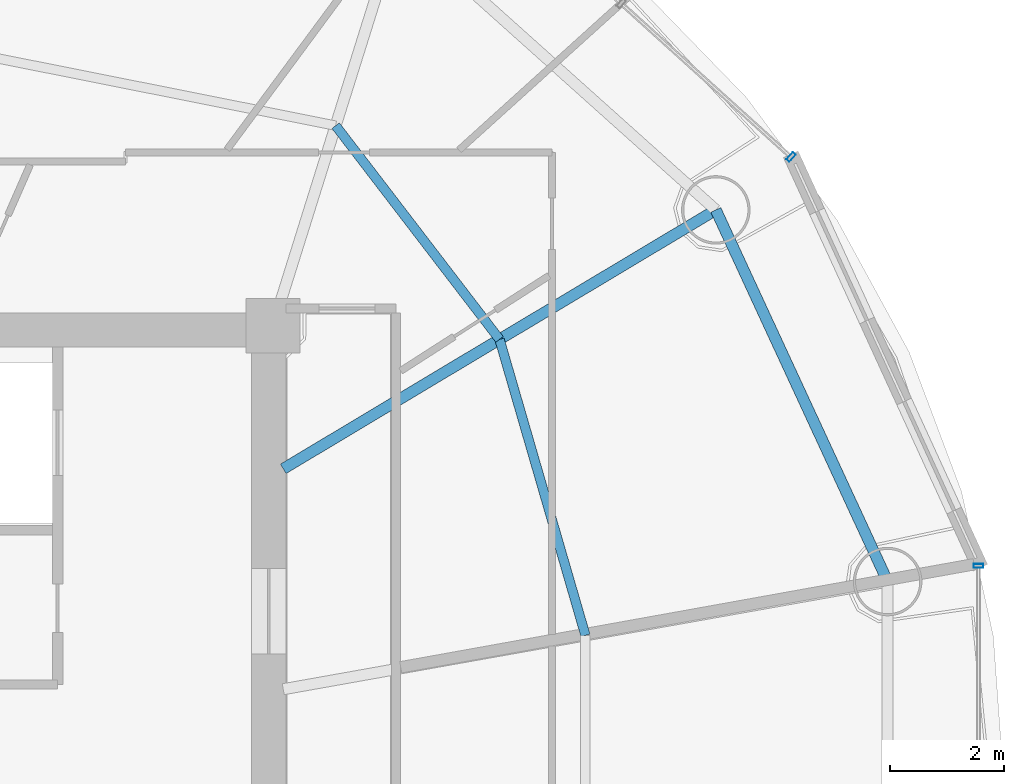
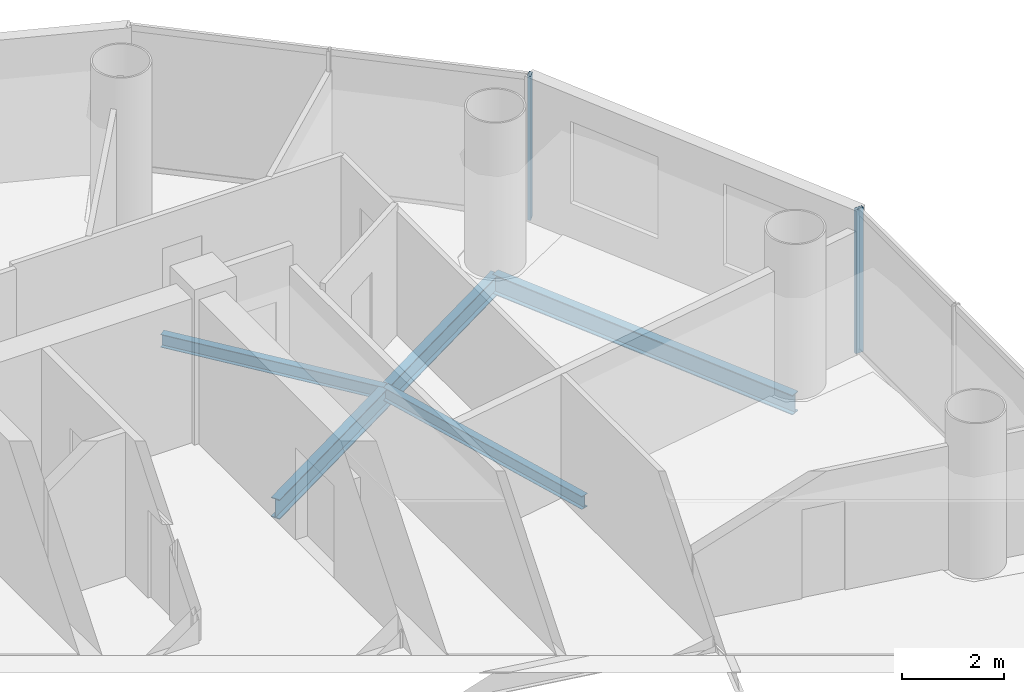
# One storey, part 13 of 27: 4 beams, 2 members, 2 elements without a shape of their own.
"""IFC4 building model written with IfcOpenShell, lengths in metres."""

import ifcopenshell
import ifcopenshell.guid

model = None  # the IFC model being written
_history = None  # IfcOwnerHistory: only IFC2X3 demands one
_inside = {}  # id of a spatial element -> (the spatial element, [elements in it])
_under = {}  # id of a project, library or spatial element -> (it, [spatial elements below it])
_declared = {}  # id of a project -> (the project, [libraries it declares])
_typed = {}  # id of a type object -> (the type object, [elements of that type])
_made_of = {}  # id of a material, layer set ... -> (it, [elements and type objects made of it])


def new_model(schema):
    """Start an empty IFC model of exactly this schema.

    Asked for "IFC4X3", IfcOpenShell would pick the latest addendum, in which some entities
    have other attributes; the version numbers below select the first issue.
    IFC2X3 requires an IfcOwnerHistory on every rooted entity: one is made here for all.
    """
    global model, _history
    if schema == "IFC4X3":
        model = ifcopenshell.file(schema_version=(4, 3, 0, 0))
    else:
        model = ifcopenshell.file(schema=schema)
    _inside.clear()
    _under.clear()
    _declared.clear()
    _typed.clear()
    _made_of.clear()
    _history = None
    if model.schema == "IFC2X3":
        org = make("IfcOrganization", Name="unknown")
        user = make(
            "IfcPersonAndOrganization",
            ThePerson=make("IfcPerson", FamilyName="unknown"),
            TheOrganization=org,
        )
        app = make(
            "IfcApplication",
            ApplicationDeveloper=org,
            Version="unknown",
            ApplicationFullName="unknown",
            ApplicationIdentifier="unknown",
        )
        _history = make(
            "IfcOwnerHistory",
            OwningUser=user,
            OwningApplication=app,
            ChangeAction="ADDED",
            CreationDate=0,
        )
    return model


def make(cls, **values):
    """One entity of the class cls with the attributes given. An attribute that is None is left unset."""
    return model.create_entity(
        cls, **{name: value for name, value in values.items() if value is not None}
    )


def rooted(cls, **values):
    """An entity with a GlobalId (a new one), such as an element, a storey or a relation."""
    return make(cls, GlobalId=ifcopenshell.guid.new(), OwnerHistory=_history, **values)


def si_unit(unit_type, name, prefix=None):
    """IfcSIUnit, for example si_unit("LENGTHUNIT", "METRE", prefix="MILLI")."""
    return make("IfcSIUnit", UnitType=unit_type, Prefix=prefix, Name=name)


def assignment(units):
    """IfcUnitAssignment: the units of a project."""
    return None if units is None else make("IfcUnitAssignment", Units=units)


def point(xyz):
    """IfcCartesianPoint."""
    return None if xyz is None else make("IfcCartesianPoint", Coordinates=xyz)


def direction(xyz):
    """IfcDirection."""
    return None if xyz is None else make("IfcDirection", DirectionRatios=xyz)


def frame(location, z_axis=None, x_axis=None):
    """IfcAxis2Placement3D, a coordinate frame: its origin and axes. An axis left out is left unset."""
    return make(
        "IfcAxis2Placement3D",
        Location=point(location),
        Axis=direction(z_axis),
        RefDirection=direction(x_axis),
    )


def frame_2d(location, x_axis=None):
    """IfcAxis2Placement2D, a coordinate frame in the plane: its origin and x axis."""
    return make(
        "IfcAxis2Placement2D", Location=point(location), RefDirection=direction(x_axis)
    )


def origin():
    """The frame at (0, 0, 0) with its axes left unset."""
    return frame((0.0, 0.0, 0.0))


def origin_2d():
    """The frame at (0, 0) in the plane with its x axis left unset."""
    return frame_2d((0.0, 0.0))


def place(relative_to, where):
    """IfcLocalPlacement: puts the frame where relative to a parent placement (None: the world)."""
    return make(
        "IfcLocalPlacement", PlacementRelTo=relative_to, RelativePlacement=where
    )


def context(
    kind, dimensions, precision=None, world=None, true_north=None, identifier=None
):
    """IfcGeometricRepresentationContext, for example the 3D "Model" context."""
    return make(
        "IfcGeometricRepresentationContext",
        ContextIdentifier=identifier,
        ContextType=kind,
        CoordinateSpaceDimension=dimensions,
        Precision=precision,
        WorldCoordinateSystem=world,
        TrueNorth=true_north,
    )


def subcontext(parent, identifier, kind, view, scale=None):
    """IfcGeometricRepresentationSubContext, for example "Body" below "Model"."""
    return make(
        "IfcGeometricRepresentationSubContext",
        ContextIdentifier=identifier,
        ContextType=kind,
        ParentContext=parent,
        TargetScale=scale,
        TargetView=view,
    )


def project(units=None, contexts=None):
    """IfcProject with its units and contexts."""
    return rooted(
        "IfcProject",
        Name="project",
        RepresentationContexts=contexts,
        UnitsInContext=assignment(units),
    )


def spatial(cls, under=None, at=None, **own):
    """A site, building, storey or space (cls), placed at a placement, below another one or the project."""
    s = rooted(cls, ObjectPlacement=at, **own)
    if under is not None:
        _under.setdefault(under.id(), (under, []))[1].append(s)
    return s


def profile(cls, at=None, kind="AREA", **sizes):
    """A parametric profile (cls). Its sizes go by their IFC names, for example OverallWidth=200.0."""
    return make(cls, ProfileType=kind, Position=at, **sizes)


def hollow_rectangle(**sizes):
    """IfcRectangleHollowProfileDef."""
    return profile("IfcRectangleHollowProfileDef", **sizes)


def i_section(**sizes):
    """IfcIShapeProfileDef."""
    return profile("IfcIShapeProfileDef", **sizes)


def extrude(swept, where, along, depth):
    """IfcExtrudedAreaSolid: the profile swept, set in the frame where, extruded along a direction by depth."""
    return make(
        "IfcExtrudedAreaSolid",
        SweptArea=swept,
        Position=where,
        ExtrudedDirection=direction(along),
        Depth=depth,
    )


def shape(context_of_items, identifier, shape_type, items):
    """IfcShapeRepresentation: the items that make up one representation, for example the "Body"."""
    return make(
        "IfcShapeRepresentation",
        ContextOfItems=context_of_items,
        RepresentationIdentifier=identifier,
        RepresentationType=shape_type,
        Items=items,
    )


def source(mapping_origin, context_of_items, identifier, shape_type, items):
    """IfcRepresentationMap: a shape defined once, which mapped items show again and again."""
    return make(
        "IfcRepresentationMap",
        MappingOrigin=mapping_origin,
        MappedRepresentation=shape(context_of_items, identifier, shape_type, items),
    )


def transform(
    local_origin,
    x_axis=None,
    y_axis=None,
    z_axis=None,
    scale=None,
    scale2=None,
    scale3=None,
    uniform=True,
):
    """IfcCartesianTransformationOperator3D, or its non-uniform kind. x_axis, y_axis, z_axis: its Axis1, 2, 3."""
    if uniform:
        return make(
            "IfcCartesianTransformationOperator3D",
            Axis1=direction(x_axis),
            Axis2=direction(y_axis),
            LocalOrigin=point(local_origin),
            Scale=scale,
            Axis3=direction(z_axis),
        )
    return make(
        "IfcCartesianTransformationOperator3DnonUniform",
        Axis1=direction(x_axis),
        Axis2=direction(y_axis),
        LocalOrigin=point(local_origin),
        Scale=scale,
        Axis3=direction(z_axis),
        Scale2=scale2,
        Scale3=scale3,
    )


def mapped(mapping_source, mapping_target):
    """IfcMappedItem: shows the shape of a source again, moved by a transform."""
    return make(
        "IfcMappedItem", MappingSource=mapping_source, MappingTarget=mapping_target
    )


def material(Name=None, Category=None):
    """IfcMaterial."""
    return make("IfcMaterial", Name=Name, Category=Category)


def material_profile(
    of_material, cross_section, Name=None, Category=None, Priority=None
):
    """IfcMaterialProfile: a cross section and its material."""
    return make(
        "IfcMaterialProfile",
        Name=Name,
        Material=of_material,
        Profile=cross_section,
        Priority=Priority,
        Category=Category,
    )


def profile_set(profiles, Name=None, composite=None):
    """IfcMaterialProfileSet."""
    return make(
        "IfcMaterialProfileSet",
        Name=Name,
        MaterialProfiles=profiles,
        CompositeProfile=composite,
    )


def made_of(thing, what):
    """Note that an element or type object is made of a material, layer set ...; save() writes the relation."""
    if what is not None:
        _made_of.setdefault(what.id(), (what, []))[1].append(thing)
    return thing


def type_object(cls, material=None, **own):
    """A type object (cls), such as IfcWallType, which elements share."""
    return made_of(rooted(cls, **own), material)


def element(
    cls,
    number,
    at=None,
    inside=None,
    cuts=None,
    type_object=None,
    material=None,
    context=None,
    identifier="Body",
    shape_type=None,
    held_by="IfcProductDefinitionShape",
    body=None,
    shapes=None,
    **own,
):
    """One element of the class cls, such as IfcWall. Its Tag is "e" and its number.

    at: its placement. inside: the storey or other place that contains it. cuts: it is an
    opening in that element (IfcRelVoidsElement). A single representation is given by context,
    identifier, shape_type and body (its items); several are given by shapes. held_by: the class
    of the entity that holds the representations. save() writes the other relations.
    """
    e = rooted(cls, Tag="e%d" % number, ObjectPlacement=at, **own)
    if body is not None:
        shapes = [shape(context, identifier, shape_type, body)]
    if shapes is not None:
        e.Representation = make(held_by, Representations=shapes)
    if inside is not None:
        _inside.setdefault(inside.id(), (inside, []))[1].append(e)
    if cuts is not None:
        rooted(
            "IfcRelVoidsElement", RelatingBuildingElement=cuts, RelatedOpeningElement=e
        )
    if type_object is not None:
        _typed.setdefault(type_object.id(), (type_object, []))[1].append(e)
    return made_of(e, material)


def aggregate(whole, parts):
    """IfcRelAggregates: a whole, such as a stair, and the parts it consists of."""
    return rooted("IfcRelAggregates", RelatingObject=whole, RelatedObjects=parts)


def save(model, path):
    """Write the relations noted so far, then the file.

    IfcRelAggregates (storeys below a building ...), IfcRelContainedInSpatialStructure (elements
    in a storey), IfcRelDefinesByType, IfcRelAssociatesMaterial and IfcRelDeclares: one each for
    every whole, place, type object, material and project.
    """
    for whole, parts in _under.values():
        aggregate(whole, parts)
    for where, things in _inside.values():
        rooted(
            "IfcRelContainedInSpatialStructure",
            RelatedElements=things,
            RelatingStructure=where,
        )
    for kind, things in _typed.values():
        rooted("IfcRelDefinesByType", RelatedObjects=things, RelatingType=kind)
    for what, things in _made_of.values():
        rooted("IfcRelAssociatesMaterial", RelatedObjects=things, RelatingMaterial=what)
    for by, libraries in _declared.values():
        rooted("IfcRelDeclares", RelatingContext=by, RelatedDefinitions=libraries)
    model.write(path)


model = new_model("IFC4")

# Units and contexts
model_context = context("Model", 3, precision=1e-05, world=origin(), true_north=direction((-0.2419218956, 0.970295726276)))
body_context = subcontext(model_context, "Body", "Model", "MODEL_VIEW")
ifc_project = project(units=[si_unit("LENGTHUNIT", "METRE"), si_unit("AREAUNIT", "SQUARE_METRE"), si_unit("VOLUMEUNIT", "CUBIC_METRE"), si_unit("PLANEANGLEUNIT", "RADIAN"), si_unit("MASSUNIT", "GRAM", prefix="KILO")], contexts=[model_context])

# Site, building, storey
site_placement = place(None, origin())
site = spatial("IfcSite", under=ifc_project, at=site_placement, CompositionType="ELEMENT")
building_placement = place(site_placement, origin())
building = spatial("IfcBuilding", under=site, at=building_placement, Name="Cobrevalo Terracotta Tower", CompositionType="ELEMENT")
storey_placement = place(building_placement, frame((0.0, 0.0, 194.89990234375)))
storey = spatial("IfcBuildingStorey", under=building, at=storey_placement, Name="L51", CompositionType="ELEMENT", Elevation=194.89990234375)

# Beams
ifc_material_1 = material(Name="Steel S355", Category="steel")
ifc_material_profile_1 = material_profile(ifc_material_1, i_section(OverallWidth=0.194091796875, OverallDepth=0.468994140625, WebThickness=0.011474609375, FlangeThickness=0.0205078125, at=origin_2d()), Name="W 460x106")
ifc_profile_set_1 = profile_set([ifc_material_profile_1], Name="Steel S355")
beam_type_1 = type_object("IfcBeamType", Name="Structural Beam W 460x106 (Steel S355)", PredefinedType="BEAM", material=ifc_profile_set_1)
beam_1_placement = place(storey_placement, frame((54.754150390625, 36.828125, -0.49951171875), z_axis=(-0.858046392192, -0.513572184651, 0.0), x_axis=(0.513572184651, -0.858046392192, 0.0)))
element("IfcBeam", 1, at=beam_1_placement, inside=storey, type_object=beam_type_1, Name="L51 radial floor girder 02", PredefinedType="BEAM", context=body_context, shape_type="SweptSolid", body=[
    extrude(i_section(OverallWidth=0.194091796875, OverallDepth=0.468994140625, WebThickness=0.011474609375, FlangeThickness=0.0205078125, at=origin_2d()), origin(), (0.0, 0.0, 1.0), 8.827392578125),
])
ifc_material_profile_2 = material_profile(ifc_material_1, i_section(OverallWidth=0.1650390625, OverallDepth=0.31005859375, WebThickness=0.005859375, FlangeThickness=0.009765625, at=origin_2d()), Name="W 310x38.7")
ifc_profile_set_2 = profile_set([ifc_material_profile_2], Name="Steel S355")
beam_type_2 = type_object("IfcBeamType", Name="Structural Joist W 310x38.7 (Steel S355)", PredefinedType="JOIST", material=ifc_profile_set_2)
beam_2_placement = place(storey_placement, frame((52.471435546875, 29.378662109375, -0.419921875), z_axis=(-0.278769817131, 0.960357948401, 0.0), x_axis=(-0.960357948401, -0.278769817131, 0.0)))
element("IfcBeam", 2, at=beam_2_placement, inside=storey, type_object=beam_type_2, Name="L51 circumferential secondary floor joist 01", PredefinedType="JOIST", context=body_context, shape_type="SweptSolid", body=[
    extrude(i_section(OverallWidth=0.1650390625, OverallDepth=0.31005859375, WebThickness=0.005859375, FlangeThickness=0.009765625, at=origin_2d()), origin(), (0.0, 0.0, 1.0), 5.396484375),
])
beam_3_placement = place(storey_placement, frame((50.967041015625, 34.561279296875, -0.419921875), z_axis=(-0.608464146296, 0.793581364872, 0.0), x_axis=(-0.793581364872, -0.608464146296, 0.0)))
element("IfcBeam", 3, at=beam_3_placement, inside=storey, type_object=beam_type_2, Name="L51 circumferential secondary floor joist 02", PredefinedType="JOIST", context=body_context, shape_type="SweptSolid", body=[
    extrude(i_section(OverallWidth=0.1650390625, OverallDepth=0.31005859375, WebThickness=0.005859375, FlangeThickness=0.009765625, at=origin_2d()), origin(), (0.0, 0.0, 1.0), 4.716064453125),
])
ifc_material_profile_3 = material_profile(ifc_material_1, i_section(OverallWidth=0.194091796875, OverallDepth=0.468994140625, WebThickness=0.011474609375, FlangeThickness=0.0205078125, at=origin_2d()), Name="W 460x106")
ifc_profile_set_3 = profile_set([ifc_material_profile_3], Name="Steel S355")
beam_type_3 = type_object("IfcBeamType", Name="Structural Spandrel W 460x106 (Steel S355)", PredefinedType="SPANDREL", material=ifc_profile_set_3)
beam_4_placement = place(storey_placement, frame((57.762939453125, 30.3212890625, -0.49951171875), z_axis=(-0.419705965131, 0.907660125176, 0.0), x_axis=(-0.907660125176, -0.419705965131, 0.0)))
element("IfcBeam", 4, at=beam_4_placement, inside=storey, type_object=beam_type_3, Name="L51 perimeter ring spandrel 01", PredefinedType="SPANDREL", context=body_context, shape_type="SweptSolid", body=[
    extrude(i_section(OverallWidth=0.194091796875, OverallDepth=0.468994140625, WebThickness=0.011474609375, FlangeThickness=0.0205078125, at=origin_2d()), origin(), (0.0, 0.0, 1.0), 7.168701171875),
])

# Curtain wall, member
ifc_material_2 = material(Name="Anodized aluminium", Category="aluminium")
curtain_wall_type = type_object("IfcCurtainWallType", Name="Mid-tower high-wind unitised curtain wall CW-U2", PredefinedType="NOTDEFINED", material=ifc_material_2)
curtain_wall_1_placement = place(storey_placement, origin())
curtain_wall_1 = element("IfcCurtainWall", 5, at=curtain_wall_1_placement, inside=storey, type_object=curtain_wall_type, Name="L51 curtain wall CW-L51-S02", PredefinedType="NOTDEFINED")
ifc_material_profile_4 = material_profile(ifc_material_2, hollow_rectangle(XDim=0.070068359375, YDim=0.169921875, WallThickness=0.00439453125, at=origin_2d()), Name="CWM 70x170")
ifc_profile_set_4 = profile_set([ifc_material_profile_4], Name="Anodized aluminium")
member_type = type_object("IfcMemberType", Name="Upper tower unitised mullion 70x170", PredefinedType="MULLION", material=ifc_profile_set_4)
shared_shape = source(origin(), body_context, "Body", "SweptSolid", [
    extrude(hollow_rectangle(XDim=0.070068359375, YDim=0.169921875, WallThickness=0.00439453125, at=origin_2d()), origin(), (0.0, 0.0, 1.0), 3.43505859375),
])
member_1_placement = place(storey_placement, frame((56.071533203125, 37.7548828125, 0.0), z_axis=(0.0, 0.0, 1.0), x_axis=(-0.741987542015, 0.670413668935, 0.0)))
member_1 = element("IfcMember", 6, at=member_1_placement, type_object=member_type, Name="CW-L51-S02 vertical mullion 01", PredefinedType="MULLION", context=body_context, shape_type="MappedRepresentation", body=[
    mapped(shared_shape, transform((0.0, 0.0, 0.0), scale=1.0)),
])
aggregate(curtain_wall_1, [member_1])

curtain_wall_2_placement = place(storey_placement, origin())
curtain_wall_2 = element("IfcCurtainWall", 7, at=curtain_wall_2_placement, inside=storey, type_object=curtain_wall_type, Name="L51 curtain wall CW-L51-S16", PredefinedType="NOTDEFINED")
member_2_placement = place(storey_placement, frame((59.351806640625, 30.597412109375, 0.0), z_axis=(0.0, 0.0, 1.0), x_axis=(0.0, 1.0, 0.0)))
member_2 = element("IfcMember", 8, at=member_2_placement, type_object=member_type, Name="CW-L51-S16 vertical mullion 03", PredefinedType="MULLION", context=body_context, shape_type="MappedRepresentation", body=[
    mapped(shared_shape, transform((0.0, 0.0, 0.0), scale=1.0)),
])
aggregate(curtain_wall_2, [member_2])

save(model, "model.ifc")
